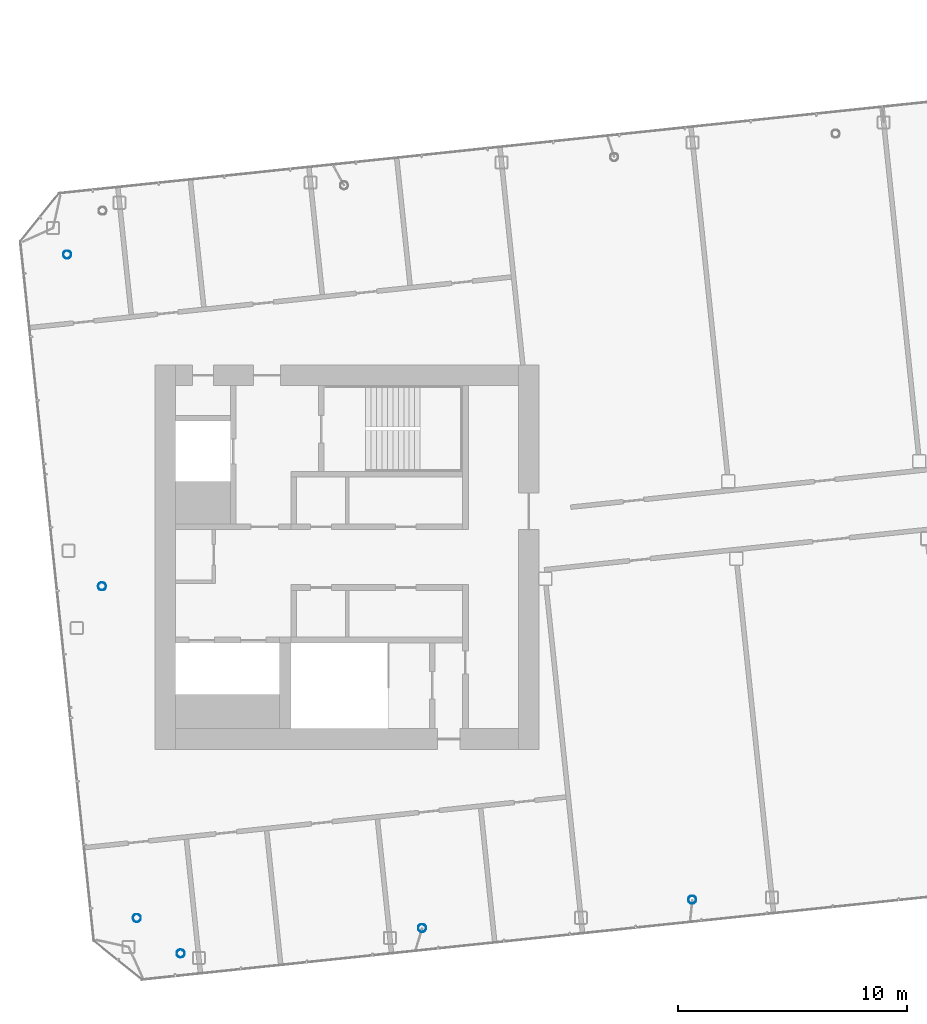
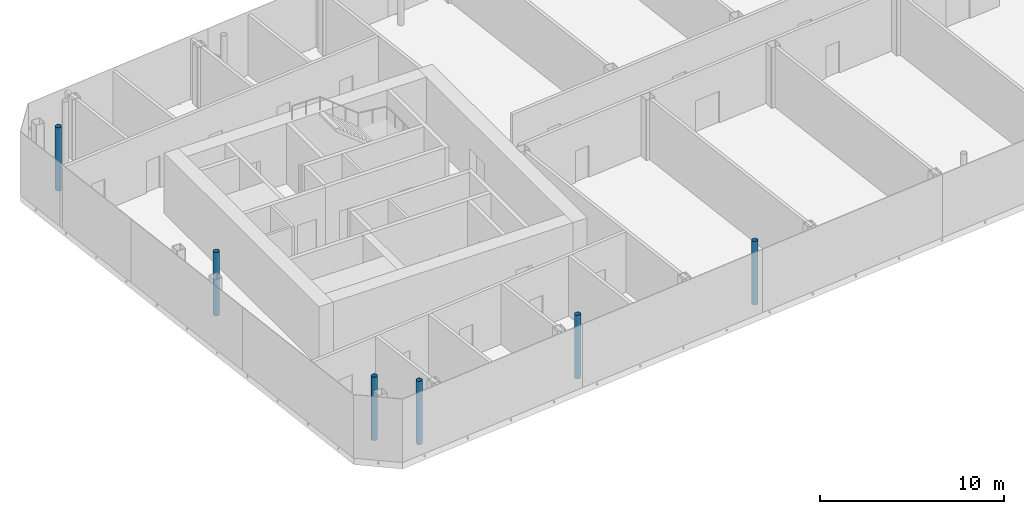
# One storey, part 3 of 28: 6 members.
"""IFC4 building model written with IfcOpenShell, lengths in metres."""

from ifc_helpers import new_model, si_unit, direction, frame, origin, origin_2d, place, context, subcontext, project, spatial, hollow_circle, extrude, material, material_profile, profile_set, type_object, element, save


model = new_model("IFC4")

# Units and contexts
model_context = context("Model", 3, precision=1e-05, world=origin(), true_north=direction((0.0, 1.0)))
body_context = subcontext(model_context, "Body", "Model", "MODEL_VIEW")
ifc_project = project(units=[si_unit("LENGTHUNIT", "METRE"), si_unit("AREAUNIT", "SQUARE_METRE"), si_unit("VOLUMEUNIT", "CUBIC_METRE"), si_unit("PLANEANGLEUNIT", "RADIAN"), si_unit("MASSUNIT", "GRAM", prefix="KILO")], contexts=[model_context])

# Site, building, storey
site_placement = place(None, origin())
site = spatial("IfcSite", under=ifc_project, at=site_placement, CompositionType="ELEMENT")
building_placement = place(site_placement, origin())
building = spatial("IfcBuilding", under=site, at=building_placement, Name="Hakoniwa Tower and Hamabe Station Hall", CompositionType="ELEMENT")
storey_placement = place(building_placement, frame((0.0, 0.0, 280.800048828125)))
storey = spatial("IfcBuildingStorey", under=building, at=storey_placement, Name="L78", CompositionType="ELEMENT", Elevation=280.800048828125)

# Members
ifc_material = material(Name="Steel STK490", Category="steel")
ifc_material_profile = material_profile(ifc_material, hollow_circle(Radius=0.177734375, WallThickness=0.0126953125, at=origin_2d()), Name="CHS-355.6x12.7")
ifc_profile_set = profile_set([ifc_material_profile], Name="Steel STK490")
member_type = type_object("IfcMemberType", Name="CROWN RIB CHS-355.6x12.7", PredefinedType="MEMBER", material=ifc_profile_set)
for number, where, z_axis, x_axis, name in (
    (1, (-37.4375, 13.231201171875, 0.0), (0.0, 0.0, 1.0), (1.0, 0.0, 0.0), "CROWN FRAME CRP-09"),
    (2, (-35.9130859375, -1.274658203125, 0.0), (0.0, 0.0, 1.0), (1.0, 0.0, 0.0), "CROWN FRAME CRP-10"),
    (3, (-34.38818359375, -15.7802734375, 0.0), (0.0, 0.0, 1.0), (1.0, 0.0, 0.0), "CROWN FRAME CRP-11"),
    (4, (-32.475341796875, -17.32958984375, 0.0), (0.0, 0.0, 1.0), (1.0, 0.0, 0.0), "CROWN FRAME CRP-12"),
    (5, (-21.916748046875, -16.2197265625, 0.0), (0.0, 0.0, 1.0), (1.0, 0.0, 0.0), "CROWN FRAME CRP-13"),
    (6, (-10.10498046875, -14.978271484375, 0.0), (0.0, 0.0, 1.0), (1.0, 0.0, 0.0), "CROWN FRAME CRP-14"),
):
    element("IfcMember", number, at=place(storey_placement, frame(where, z_axis=z_axis, x_axis=x_axis)), inside=storey, type_object=member_type, Name=name, PredefinedType="MEMBER", context=body_context, shape_type="SweptSolid", body=[
        extrude(hollow_circle(Radius=0.177734375, WallThickness=0.0126953125, at=origin_2d()), origin(), (0.0, 0.0, 1.0), 4.199951171875),
    ])

save(model, "model.ifc")
